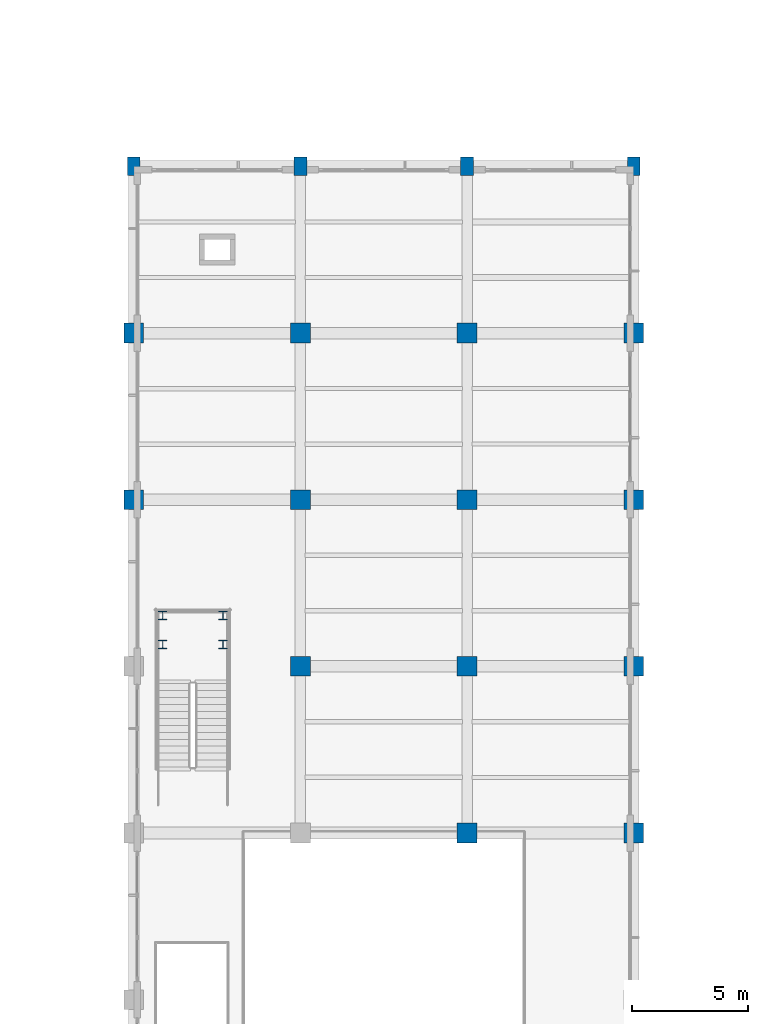
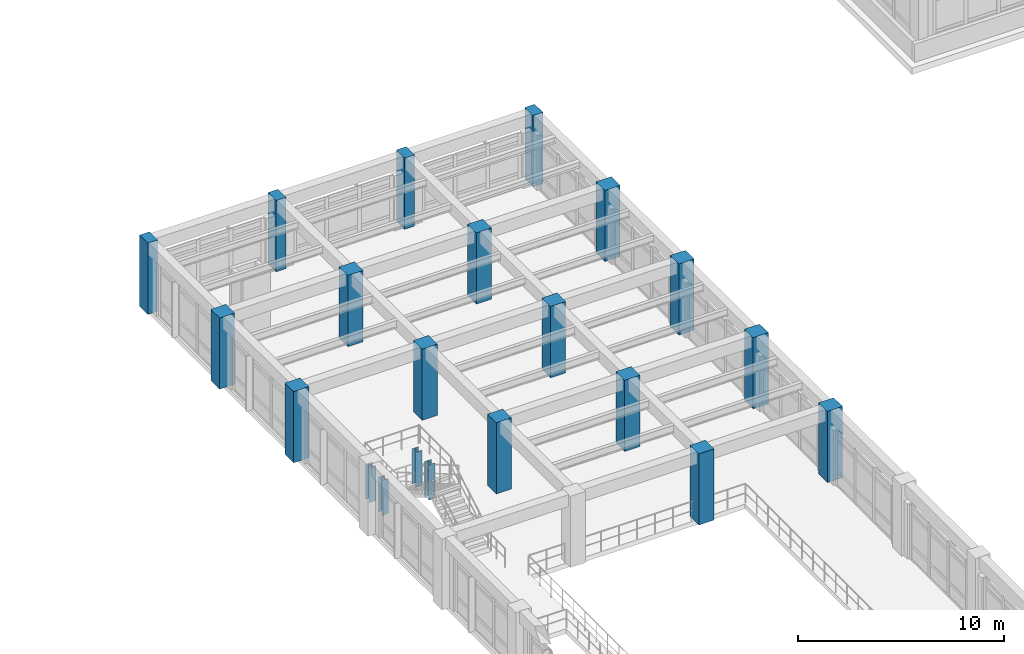
# One storey, part 5 of 98: 21 columns.
"""IFC4 building model written with IfcOpenShell, lengths in metres."""

from ifc_helpers import new_model, si_unit, direction, frame, origin, origin_2d, place, context, subcontext, project, spatial, rectangle, i_section, extrude, material, material_profile, profile_set, type_object, element, save


model = new_model("IFC4")

# Units and contexts
model_context = context("Model", 3, precision=1e-05, world=origin(), true_north=direction((0.0, 1.0)))
body_context = subcontext(model_context, "Body", "Model", "MODEL_VIEW")
ifc_project = project(units=[si_unit("LENGTHUNIT", "METRE"), si_unit("AREAUNIT", "SQUARE_METRE"), si_unit("VOLUMEUNIT", "CUBIC_METRE"), si_unit("PLANEANGLEUNIT", "RADIAN"), si_unit("MASSUNIT", "GRAM", prefix="KILO")], contexts=[model_context])

# Site, building, storey
site_placement = place(None, origin())
site = spatial("IfcSite", under=ifc_project, at=site_placement, CompositionType="ELEMENT")
building_placement = place(site_placement, origin())
building = spatial("IfcBuilding", under=site, at=building_placement, Name="Solenvale Faculty of Natural Sciences", CompositionType="ELEMENT")
storey_placement = place(building_placement, frame((0.0, 0.0, 9.0)))
storey = spatial("IfcBuildingStorey", under=building, at=storey_placement, Name="L02", CompositionType="ELEMENT", Elevation=9.0)

# Columns
ifc_material_1 = material(Name="Concrete 50 MPa", Category="concrete")
ifc_material_profile_1 = material_profile(ifc_material_1, rectangle(XDim=0.550048828125, YDim=0.800048828125, at=origin_2d()), Name="RC-COL-550x800")
ifc_profile_set_1 = profile_set([ifc_material_profile_1], Name="Concrete 50 MPa")
column_type_1 = type_object("IfcColumnType", Name="COL-RC-550x800", PredefinedType="COLUMN", material=ifc_profile_set_1)
for number, where, z_axis, x_axis, name in (
    (1, (36.0, 93.60009765625, 0.0), (0.0, 0.0, 1.0), (1.0, 0.0, 0.0), "L02 Column (36.0, 93.6)"),
    (2, (43.199951171875, 93.60009765625, 0.0), (0.0, 0.0, 1.0), (1.0, 0.0, 0.0), "L02 Column (43.2, 93.6)"),
    (3, (50.39990234375, 93.60009765625, 0.0), (0.0, 0.0, 1.0), (1.0, 0.0, 0.0), "L02 Column (50.4, 93.6)"),
    (4, (57.60009765625, 93.60009765625, 0.0), (0.0, 0.0, 1.0), (1.0, 0.0, 0.0), "L02 Column (57.6, 93.6)"),
):
    element("IfcColumn", number, at=place(storey_placement, frame(where, z_axis=z_axis, x_axis=x_axis)), inside=storey, type_object=column_type_1, Name=name, PredefinedType="COLUMN", context=body_context, shape_type="SweptSolid", body=[
        extrude(rectangle(XDim=0.550048828125, YDim=0.800048828125, at=origin_2d()), origin(), (0.0, 0.0, 1.0), 4.219970703125),
    ])
ifc_material_profile_2 = material_profile(ifc_material_1, rectangle(XDim=0.85009765625, YDim=0.85009765625, at=origin_2d()), Name="RC-COL-850x850")
ifc_profile_set_2 = profile_set([ifc_material_profile_2], Name="Concrete 50 MPa")
column_type_2 = type_object("IfcColumnType", Name="COL-RC-850", PredefinedType="COLUMN", material=ifc_profile_set_2)
for number, where, z_axis, x_axis, name in (
    (5, (36.0, 79.199951171875, 0.0), (0.0, 0.0, 1.0), (1.0, 0.0, 0.0), "L02 Column (36.0, 79.2)"),
    (6, (36.0, 86.39990234375, 0.0), (0.0, 0.0, 1.0), (1.0, 0.0, 0.0), "L02 Column (36.0, 86.4)"),
    (7, (43.199951171875, 72.0, 0.0), (0.0, 0.0, 1.0), (1.0, 0.0, 0.0), "L02 Column (43.2, 72.0)"),
    (8, (43.199951171875, 79.199951171875, 0.0), (0.0, 0.0, 1.0), (1.0, 0.0, 0.0), "L02 Column (43.2, 79.2)"),
    (9, (43.199951171875, 86.39990234375, 0.0), (0.0, 0.0, 1.0), (1.0, 0.0, 0.0), "L02 Column (43.2, 86.4)"),
    (10, (50.39990234375, 64.800048828125, 0.0), (0.0, 0.0, 1.0), (1.0, 0.0, 0.0), "L02 Column (50.4, 64.8)"),
    (11, (50.39990234375, 72.0, 0.0), (0.0, 0.0, 1.0), (1.0, 0.0, 0.0), "L02 Column (50.4, 72.0)"),
    (12, (50.39990234375, 79.199951171875, 0.0), (0.0, 0.0, 1.0), (1.0, 0.0, 0.0), "L02 Column (50.4, 79.2)"),
    (13, (50.39990234375, 86.39990234375, 0.0), (0.0, 0.0, 1.0), (1.0, 0.0, 0.0), "L02 Column (50.4, 86.4)"),
    (14, (57.60009765625, 64.800048828125, 0.0), (0.0, 0.0, 1.0), (1.0, 0.0, 0.0), "L02 Column (57.6, 64.8)"),
    (15, (57.60009765625, 72.0, 0.0), (0.0, 0.0, 1.0), (1.0, 0.0, 0.0), "L02 Column (57.6, 72.0)"),
    (16, (57.60009765625, 79.199951171875, 0.0), (0.0, 0.0, 1.0), (1.0, 0.0, 0.0), "L02 Column (57.6, 79.2)"),
    (17, (57.60009765625, 86.39990234375, 0.0), (0.0, 0.0, 1.0), (1.0, 0.0, 0.0), "L02 Column (57.6, 86.4)"),
):
    element("IfcColumn", number, at=place(storey_placement, frame(where, z_axis=z_axis, x_axis=x_axis)), inside=storey, type_object=column_type_2, Name=name, PredefinedType="COLUMN", context=body_context, shape_type="SweptSolid", body=[
        extrude(rectangle(XDim=0.85009765625, YDim=0.85009765625, at=origin_2d()), origin(), (0.0, 0.0, 1.0), 4.219970703125),
    ])
ifc_material_2 = material(Name="Steel S355", Category="steel")
ifc_material_profile_3 = material_profile(ifc_material_2, i_section(OverallWidth=0.37109375, OverallDepth=0.364013671875, WebThickness=0.01318359375, FlangeThickness=0.021728515625, FilletRadius=0.02197265625, at=origin_2d()), Name="W360x162")
ifc_profile_set_3 = profile_set([ifc_material_profile_3], Name="Steel S355")
column_type_3 = type_object("IfcColumnType", Name="COL-STL-W360x162", PredefinedType="COLUMN", material=ifc_profile_set_3)
for number, where, z_axis, x_axis, name in (
    (18, (37.25, 72.949951171875, 0.0), (0.0, 0.0, 1.0), (1.0, 0.0, 0.0), "ST-06 L02 Lower Post"),
    (19, (37.25, 74.199951171875, 0.0), (0.0, 0.0, 1.0), (1.0, 0.0, 0.0), "ST-06 L02 Lower Post"),
    (20, (39.85009765625, 72.949951171875, 0.0), (0.0, 0.0, 1.0), (1.0, 0.0, 0.0), "ST-06 L02 Lower Post"),
    (21, (39.85009765625, 74.199951171875, 0.0), (0.0, 0.0, 1.0), (1.0, 0.0, 0.0), "ST-06 L02 Lower Post"),
):
    element("IfcColumn", number, at=place(storey_placement, frame(where, z_axis=z_axis, x_axis=x_axis)), inside=storey, type_object=column_type_3, Name=name, PredefinedType="COLUMN", context=body_context, shape_type="SweptSolid", body=[
        extrude(i_section(OverallWidth=0.37109375, OverallDepth=0.364013671875, WebThickness=0.01318359375, FlangeThickness=0.021728515625, FilletRadius=0.02197265625, at=origin_2d()), origin(), (0.0, 0.0, 1.0), 2.070068359375),
    ])

save(model, "model.ifc")
